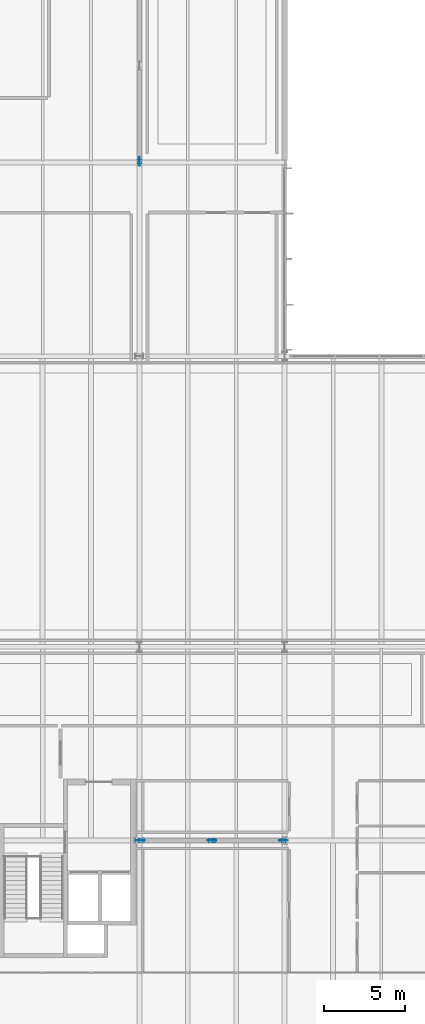
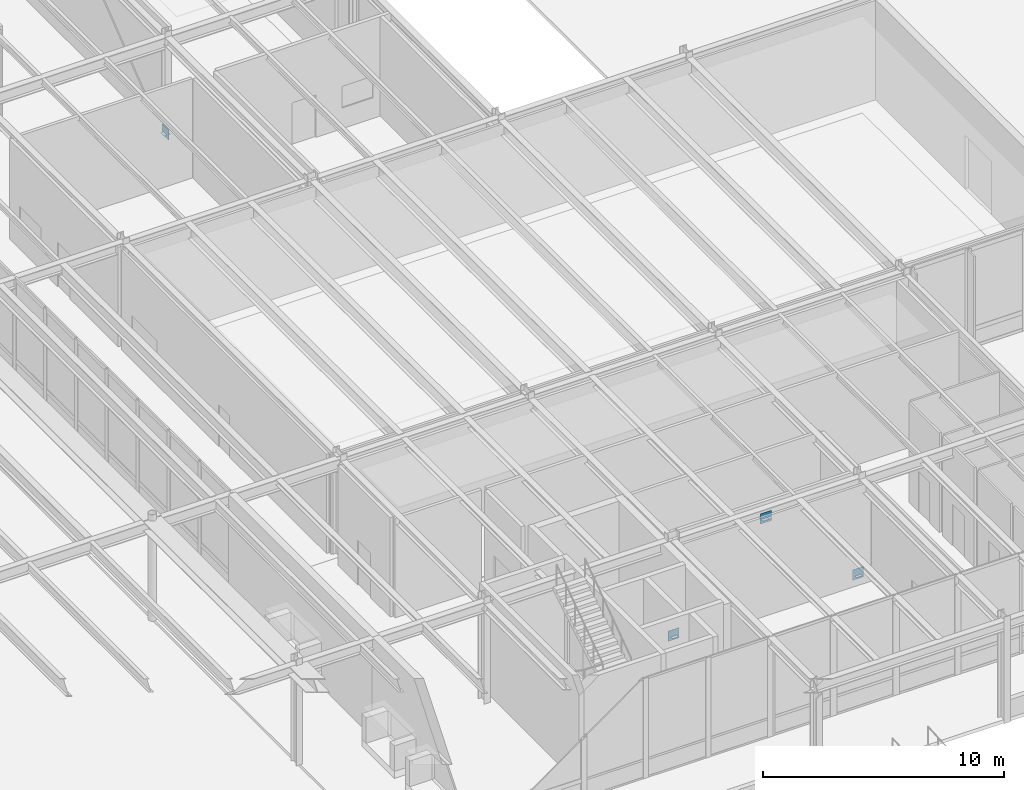
# One storey, part 114 of 143: 9 plates.
"""IFC4 building model written with IfcOpenShell, lengths in metres."""

from ifc_helpers import new_model, si_unit, direction, frame, origin, origin_2d, place, context, subcontext, project, spatial, rectangle, extrude, material, layer, layer_set, type_object, element, save


model = new_model("IFC4")

# Units and contexts
model_context = context("Model", 3, precision=1e-05, world=origin(), true_north=direction((0.0, 1.0)))
body_context = subcontext(model_context, "Body", "Model", "MODEL_VIEW")
ifc_project = project(units=[si_unit("LENGTHUNIT", "METRE"), si_unit("AREAUNIT", "SQUARE_METRE"), si_unit("VOLUMEUNIT", "CUBIC_METRE"), si_unit("PLANEANGLEUNIT", "RADIAN"), si_unit("MASSUNIT", "GRAM", prefix="KILO")], contexts=[model_context])

# Site, building, storey
site_placement = place(None, origin())
site = spatial("IfcSite", under=ifc_project, at=site_placement, CompositionType="ELEMENT")
building_placement = place(site_placement, origin())
building = spatial("IfcBuilding", under=site, at=building_placement, Name="Montelvaro Courts of Justice", CompositionType="ELEMENT")
storey_placement = place(building_placement, origin())
storey = spatial("IfcBuildingStorey", under=building, at=storey_placement, Name="L00", CompositionType="ELEMENT", Elevation=0.0)

# Plates
ifc_material = material(Name="Steel S355", Category="steel")
ifc_layer_1 = layer(ifc_material, 0.011962890625)
ifc_layer_set_1 = layer_set([ifc_layer_1], Name="Steel S355")
plate_type_1 = type_object("IfcPlateType", Name="EndCapPlate_12", PredefinedType="USERDEFINED", material=ifc_layer_set_1)
for number, where, z_axis, x_axis, name in (
    (1, (117.080078125, 12.0, 0.07421875), (0.0, 0.0, 1.0), (1.0, 0.0, 0.0), "Brace End Cap Plate CP-01 CBF2-L00-1A"),
    (2, (121.419921875, 12.0, 4.51416015625), (0.0, 0.0, 1.0), (1.0, 0.0, 0.0), "Brace End Cap Plate CP-01 CBF2-L00-1B"),
    (3, (125.919921875, 12.0, 0.07421875), (0.0, 0.0, 1.0), (1.0, 0.0, 0.0), "Brace End Cap Plate CP-01 CBF2-L00-2A"),
    (4, (121.580078125, 12.0, 4.51416015625), (0.0, 0.0, 1.0), (1.0, 0.0, 0.0), "Brace End Cap Plate CP-01 CBF2-L00-2B"),
    (5, (117.0, 54.080078125, 0.07421875), (0.0, 0.0, 1.0), (1.0, 0.0, 0.0), "Brace End Cap Plate CP-01 CBF4-L00-1A"),
):
    element("IfcPlate", number, at=place(storey_placement, frame(where, z_axis=z_axis, x_axis=x_axis)), inside=storey, type_object=plate_type_1, Name=name, ObjectType="GUSSET PLATE", PredefinedType="USERDEFINED", context=body_context, shape_type="SweptSolid", body=[
        extrude(rectangle(XDim=0.300048828125, YDim=0.300048828125, at=origin_2d()), origin(), (0.0, 0.0, 1.0), 0.011962890625),
    ])
ifc_layer_2 = layer(ifc_material, 0.02001953125)
ifc_layer_set_2 = layer_set([ifc_layer_2], Name="Steel S355")
plate_type_2 = type_object("IfcPlateType", Name="GussetPlate_20", PredefinedType="USERDEFINED", material=ifc_layer_set_2)
for number, where, z_axis, x_axis, name in (
    (6, (117.080078125, 12.0, -0.10009765625), (0.0, 0.0, 1.0), (1.0, 0.0, 0.0), "Chevron Brace Base Gusset Plate GP-01 CBF2-L00-B1"),
    (7, (125.919921875, 12.0, -0.10009765625), (0.0, 0.0, 1.0), (1.0, 0.0, 0.0), "Chevron Brace Base Gusset Plate GP-01 CBF2-L00-B2"),
    (8, (121.5, 12.0, 4.300048828125), (0.0, 0.0, 1.0), (1.0, 0.0, 0.0), "Chevron Brace Gusset Plate GP-01 CBF2-L00"),
):
    element("IfcPlate", number, at=place(storey_placement, frame(where, z_axis=z_axis, x_axis=x_axis)), inside=storey, type_object=plate_type_2, Name=name, ObjectType="GUSSET PLATE", PredefinedType="USERDEFINED", context=body_context, shape_type="SweptSolid", body=[
        extrude(rectangle(XDim=0.52001953125, YDim=0.02001953125, at=origin_2d()), origin(), (0.0, 0.0, 1.0), 0.52001953125),
    ])
plate_placement = place(storey_placement, frame((117.0, 54.080078125, -0.10009765625), z_axis=(0.0, 0.0, 1.0), x_axis=(1.0, 0.0, 0.0)))
element("IfcPlate", 9, at=plate_placement, inside=storey, type_object=plate_type_2, Name="Chevron Brace Base Gusset Plate GP-01 CBF4-L00-B1", ObjectType="GUSSET PLATE", PredefinedType="USERDEFINED", context=body_context, shape_type="SweptSolid", body=[
    extrude(rectangle(XDim=0.02001953125, YDim=0.52001953125, at=origin_2d()), origin(), (0.0, 0.0, 1.0), 0.52001953125),
])

save(model, "model.ifc")
